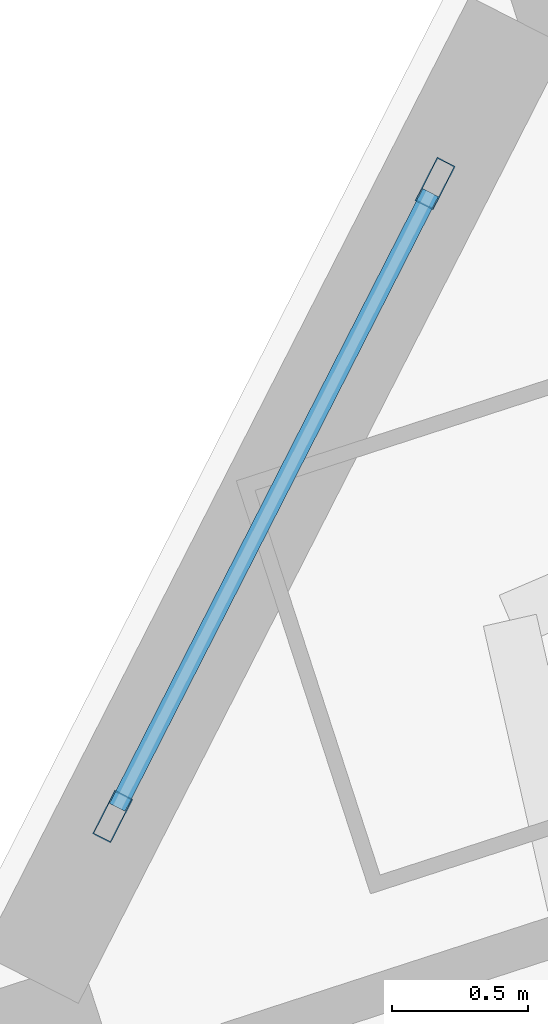
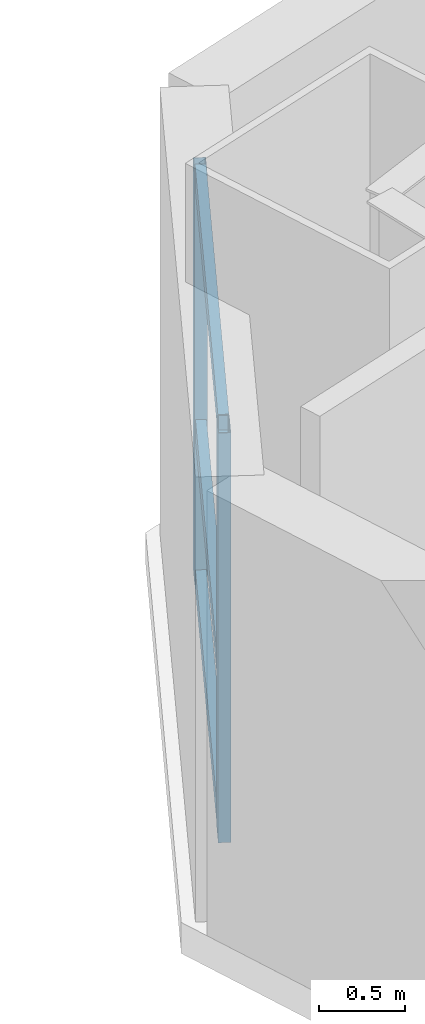
# One storey, part 6 of 24: 5 members, 1 element without a shape of its own.
"""IFC4 building model written with IfcOpenShell, lengths in metres."""

from ifc_helpers import new_model, si_unit, direction, frame, origin, origin_2d, place, context, subcontext, project, spatial, hollow_rectangle, extrude, material, layer, layer_set, material_profile, profile_set, type_object, element, aggregate, save


model = new_model("IFC4")

# Units and contexts
model_context = context("Model", 3, precision=1e-05, world=origin(), true_north=direction((0.0, 1.0)))
body_context = subcontext(model_context, "Body", "Model", "MODEL_VIEW")
ifc_project = project(units=[si_unit("LENGTHUNIT", "METRE"), si_unit("AREAUNIT", "SQUARE_METRE"), si_unit("VOLUMEUNIT", "CUBIC_METRE"), si_unit("PLANEANGLEUNIT", "RADIAN"), si_unit("MASSUNIT", "GRAM", prefix="KILO")], contexts=[model_context])

# Site, building, storey
site_placement = place(None, origin())
site = spatial("IfcSite", under=ifc_project, at=site_placement, CompositionType="ELEMENT")
building_placement = place(site_placement, origin())
building = spatial("IfcBuilding", under=site, at=building_placement, Name="Qiaolan Cultural Towers", CompositionType="ELEMENT")
storey_placement = place(building_placement, frame((0.0, 0.0, 30.0)))
storey = spatial("IfcBuildingStorey", under=building, at=storey_placement, Name="L06", CompositionType="ELEMENT", Elevation=30.0)

# Curtain wall, members
ifc_material_1 = material(Name="Unitized Anodized Aluminium Curtain Wall System", Category="aluminium")
ifc_layer = layer(ifc_material_1, 0.199951171875)
ifc_layer_set = layer_set([ifc_layer], Name="Unitized Anodized Aluminium Curtain Wall System")
curtain_wall_type = type_object("IfcCurtainWallType", Name="CWS-02", PredefinedType="NOTDEFINED", material=ifc_layer_set)
curtain_wall_placement = place(storey_placement, origin())
curtain_wall = element("IfcCurtainWall", 1, at=curtain_wall_placement, inside=storey, type_object=curtain_wall_type, Name="L06 T2 Chamfer Wind-Corner Feature Curtain Wall 1", PredefinedType="NOTDEFINED")
ifc_material_2 = material(Name="Extruded Aluminium 6063-T6", Category="aluminium")
ifc_material_profile_1 = material_profile(ifc_material_2, hollow_rectangle(XDim=0.074951171875, YDim=0.179931640625, WallThickness=0.00390625, at=origin_2d()), Name="CWM-180x75x4")
ifc_profile_set_1 = profile_set([ifc_material_profile_1], Name="Extruded Aluminium 6063-T6")
member_type_1 = type_object("IfcMemberType", Name="CWS-02-MUL", PredefinedType="MULLION", material=ifc_profile_set_1)
member_1_placement = place(storey_placement, frame((64.50927734375, 52.5029296875, 0.14990234375), z_axis=(0.0, 0.0, 1.0), x_axis=(-0.89100656444, 0.45399042074, 0.0)))
member_1 = element("IfcMember", 2, at=member_1_placement, type_object=member_type_1, Name="CW-2 mullion 1", PredefinedType="MULLION", context=body_context, shape_type="SweptSolid", body=[
    extrude(hollow_rectangle(XDim=0.074951171875, YDim=0.179931640625, WallThickness=0.00390625, at=origin_2d()), origin(), (0.0, 0.0, 1.0), 2.91015625),
])
member_2_placement = place(storey_placement, frame((65.697509765625, 54.83544921875, 0.14990234375), z_axis=(0.0, 0.0, 1.0), x_axis=(-0.89100656444, 0.45399042074, 0.0)))
member_2 = element("IfcMember", 3, at=member_2_placement, type_object=member_type_1, Name="CW-2 mullion 2", PredefinedType="MULLION", context=body_context, shape_type="SweptSolid", body=[
    extrude(hollow_rectangle(XDim=0.074951171875, YDim=0.179931640625, WallThickness=0.00390625, at=origin_2d()), origin(), (0.0, 0.0, 1.0), 2.91015625),
])
ifc_material_3 = material(Name="Extruded Aluminium 6063-T6", Category="aluminium")
ifc_material_profile_2 = material_profile(ifc_material_3, hollow_rectangle(XDim=0.06494140625, YDim=0.14990234375, WallThickness=0.00390625, at=origin_2d()), Name="CWT-150x65x4")
ifc_profile_set_2 = profile_set([ifc_material_profile_2], Name="Extruded Aluminium 6063-T6")
member_type_2 = type_object("IfcMemberType", Name="CWS-02-TRN", PredefinedType="USERDEFINED", material=ifc_profile_set_2)
member_3_placement = place(storey_placement, frame((64.526123046875, 52.536376953125, 0.1826171875), z_axis=(0.453960300991, 0.891021910575, 0.0), x_axis=(-0.891021910575, 0.453960300991, 0.0)))
member_3 = element("IfcMember", 4, at=member_3_placement, type_object=member_type_2, Name="CW-2 transom 1.1", ObjectType="TRANSOM", PredefinedType="USERDEFINED", context=body_context, shape_type="SweptSolid", body=[
    extrude(hollow_rectangle(XDim=0.06494140625, YDim=0.14990234375, WallThickness=0.00390625, at=origin_2d()), origin(), (0.0, 0.0, 1.0), 2.542724609375),
])
member_4_placement = place(storey_placement, frame((64.526123046875, 52.536376953125, 1.25), z_axis=(0.453960300991, 0.891021910575, 0.0), x_axis=(-0.891021910575, 0.453960300991, 0.0)))
member_4 = element("IfcMember", 5, at=member_4_placement, type_object=member_type_2, Name="CW-2 transom 1.2", ObjectType="TRANSOM", PredefinedType="USERDEFINED", context=body_context, shape_type="SweptSolid", body=[
    extrude(hollow_rectangle(XDim=0.06494140625, YDim=0.14990234375, WallThickness=0.00390625, at=origin_2d()), origin(), (0.0, 0.0, 1.0), 2.542724609375),
])
member_5_placement = place(storey_placement, frame((64.526123046875, 52.536376953125, 3.027587890625), z_axis=(0.453960300991, 0.891021910575, 0.0), x_axis=(-0.891021910575, 0.453960300991, 0.0)))
member_5 = element("IfcMember", 6, at=member_5_placement, type_object=member_type_2, Name="CW-2 transom 1.3", ObjectType="TRANSOM", PredefinedType="USERDEFINED", context=body_context, shape_type="SweptSolid", body=[
    extrude(hollow_rectangle(XDim=0.06494140625, YDim=0.14990234375, WallThickness=0.00390625, at=origin_2d()), origin(), (0.0, 0.0, 1.0), 2.542724609375),
])
aggregate(curtain_wall, [member_1, member_2, member_3, member_4, member_5])

save(model, "model.ifc")
